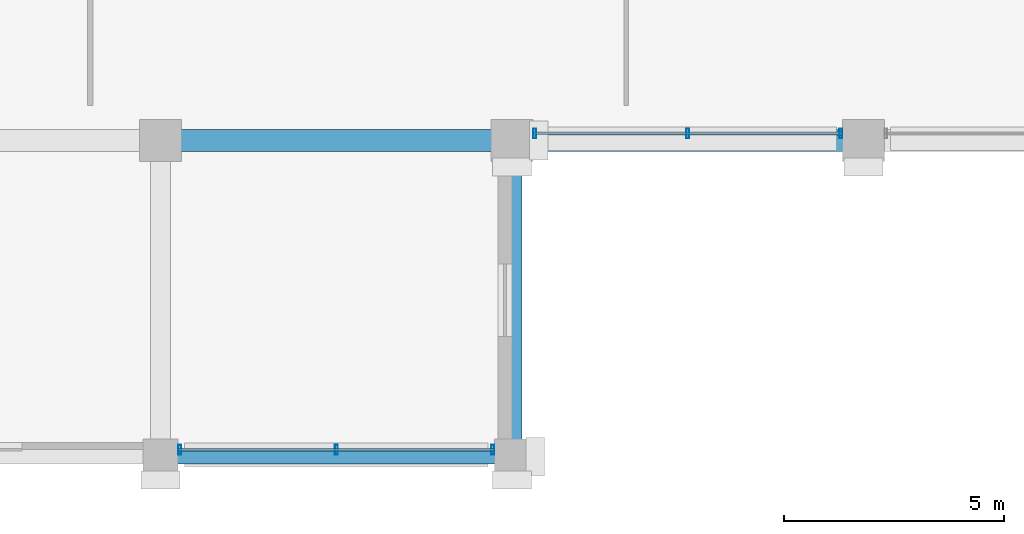
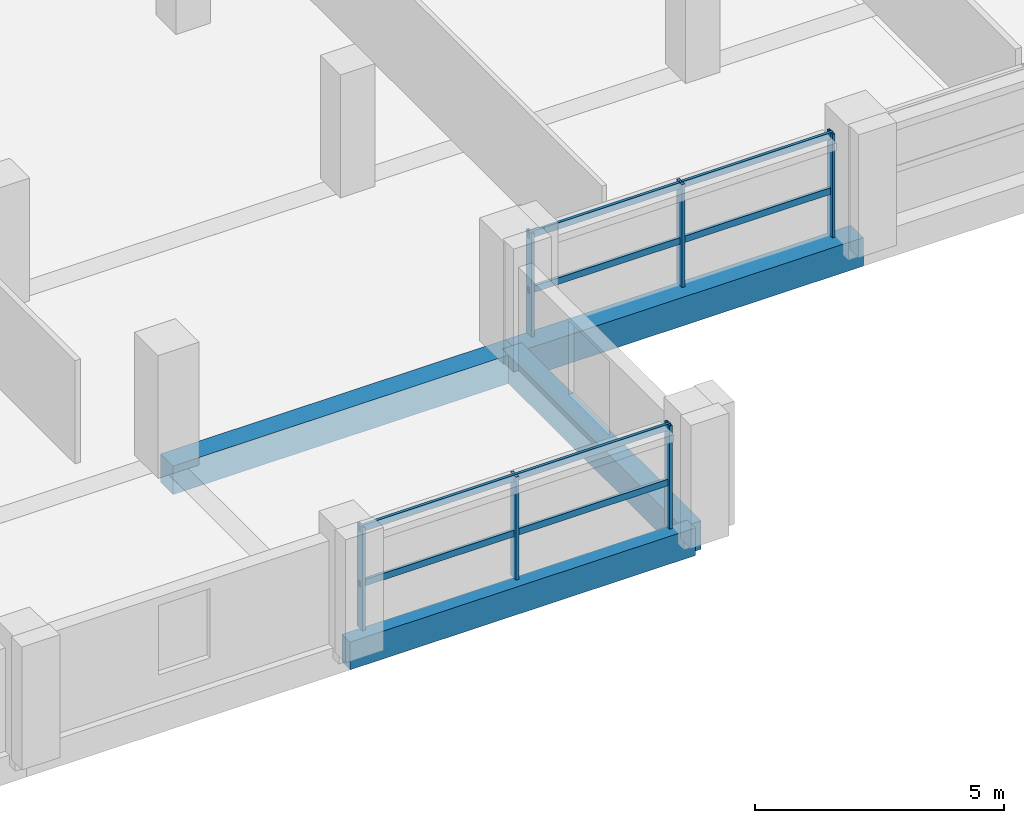
# One storey, part 2 of 21: 10 members, 4 beams, 2 elements without a shape of their own.
"""IFC4 building model written with IfcOpenShell, lengths in metres."""

from ifc_helpers import new_model, si_unit, direction, frame, origin, origin_2d, place, context, subcontext, project, spatial, rectangle, hollow_rectangle, extrude, material, material_profile, profile_set, type_object, element, aggregate, save


model = new_model("IFC4")

# Units and contexts
model_context = context("Model", 3, precision=1e-05, world=origin(), true_north=direction((0.0, 1.0)))
body_context = subcontext(model_context, "Body", "Model", "MODEL_VIEW")
ifc_project = project(units=[si_unit("LENGTHUNIT", "METRE"), si_unit("AREAUNIT", "SQUARE_METRE"), si_unit("VOLUMEUNIT", "CUBIC_METRE"), si_unit("PLANEANGLEUNIT", "RADIAN"), si_unit("MASSUNIT", "GRAM", prefix="KILO")], contexts=[model_context])

# Site, building, storey
site_placement = place(None, origin())
site = spatial("IfcSite", under=ifc_project, at=site_placement, CompositionType="ELEMENT")
building_placement = place(site_placement, origin())
building = spatial("IfcBuilding", under=site, at=building_placement, Name="Akrevak Sports Hall", CompositionType="ELEMENT")
storey_placement = place(building_placement, frame((0.0, 0.0, 37.300048828125)))
storey = spatial("IfcBuildingStorey", under=building, at=storey_placement, Name="L08", CompositionType="ELEMENT", Elevation=37.300048828125)

# Curtain wall, members
ifc_material_1 = material(Name="Anodized Bronze Aluminium & Low-E Glass", Category="aluminium")
curtain_wall_type = type_object("IfcCurtainWallType", Name="ARC-CW-TWR-72x30", PredefinedType="NOTDEFINED", material=ifc_material_1)
curtain_wall_1_placement = place(storey_placement, origin())
curtain_wall_1 = element("IfcCurtainWall", 1, at=curtain_wall_1_placement, inside=storey, type_object=curtain_wall_type, Name="Curtain Wall CW-L08-S03", PredefinedType="NOTDEFINED")
ifc_material_2 = material(Name="Anodized Bronze Aluminium", Category="aluminium")
ifc_material_profile_1 = material_profile(ifc_material_2, hollow_rectangle(XDim=0.06494140625, YDim=0.219970703125, WallThickness=0.00439453125, at=origin_2d()), Name="CWM 65x220", Category="aluminium")
ifc_profile_set_1 = profile_set([ifc_material_profile_1], Name="Anodized Bronze Aluminium")
member_type_1 = type_object("IfcMemberType", Name="ARC-CWM-70x160", PredefinedType="MULLION", material=ifc_profile_set_1)
member_1_placement = place(storey_placement, frame((60.43994140625, 21.760009765625, 0.0), z_axis=(0.0, 0.0, 1.0), x_axis=(1.0, 0.0, 0.0)))
member_1 = element("IfcMember", 2, at=member_1_placement, type_object=member_type_1, Name="Curtain Wall Mullion CW-L08-S03-M1", PredefinedType="MULLION", context=body_context, shape_type="SweptSolid", body=[
    extrude(hollow_rectangle(XDim=0.06494140625, YDim=0.219970703125, WallThickness=0.00439453125, at=origin_2d()), origin(), (0.0, 0.0, 1.0), 2.530029296875),
])
member_2_placement = place(storey_placement, frame((64.0, 21.760009765625, 0.0), z_axis=(0.0, 0.0, 1.0), x_axis=(1.0, 0.0, 0.0)))
member_2 = element("IfcMember", 3, at=member_2_placement, type_object=member_type_1, Name="Curtain Wall Mullion CW-L08-S03-M2", PredefinedType="MULLION", context=body_context, shape_type="SweptSolid", body=[
    extrude(hollow_rectangle(XDim=0.06494140625, YDim=0.219970703125, WallThickness=0.00439453125, at=origin_2d()), origin(), (0.0, 0.0, 1.0), 2.530029296875),
])
member_3_placement = place(storey_placement, frame((67.56005859375, 21.760009765625, 0.0), z_axis=(0.0, 0.0, 1.0), x_axis=(1.0, 0.0, 0.0)))
member_3 = element("IfcMember", 4, at=member_3_placement, type_object=member_type_1, Name="Curtain Wall Mullion CW-L08-S03-M3", PredefinedType="MULLION", context=body_context, shape_type="SweptSolid", body=[
    extrude(hollow_rectangle(XDim=0.06494140625, YDim=0.219970703125, WallThickness=0.00439453125, at=origin_2d()), origin(), (0.0, 0.0, 1.0), 2.530029296875),
])

curtain_wall_2_placement = place(storey_placement, origin())
curtain_wall_2 = element("IfcCurtainWall", 5, at=curtain_wall_2_placement, inside=storey, type_object=curtain_wall_type, Name="Curtain Wall CW-L08-S05", PredefinedType="NOTDEFINED")
member_4_placement = place(storey_placement, frame((68.514892578125, 28.9599609375, 0.0), z_axis=(0.0, 0.0, 1.0), x_axis=(1.0, 0.0, 0.0)))
member_4 = element("IfcMember", 6, at=member_4_placement, type_object=member_type_1, Name="Curtain Wall Mullion CW-L08-S05-M1", PredefinedType="MULLION", context=body_context, shape_type="SweptSolid", body=[
    extrude(hollow_rectangle(XDim=0.06494140625, YDim=0.219970703125, WallThickness=0.00439453125, at=origin_2d()), origin(), (0.0, 0.0, 1.0), 2.530029296875),
])
member_5_placement = place(storey_placement, frame((72.0, 28.9599609375, 0.0), z_axis=(0.0, 0.0, 1.0), x_axis=(1.0, 0.0, 0.0)))
member_5 = element("IfcMember", 7, at=member_5_placement, type_object=member_type_1, Name="Curtain Wall Mullion CW-L08-S05-M2", PredefinedType="MULLION", context=body_context, shape_type="SweptSolid", body=[
    extrude(hollow_rectangle(XDim=0.06494140625, YDim=0.219970703125, WallThickness=0.00439453125, at=origin_2d()), origin(), (0.0, 0.0, 1.0), 2.530029296875),
])
member_6_placement = place(storey_placement, frame((75.485107421875, 28.9599609375, 0.0), z_axis=(0.0, 0.0, 1.0), x_axis=(1.0, 0.0, 0.0)))
member_6 = element("IfcMember", 8, at=member_6_placement, type_object=member_type_1, Name="Curtain Wall Mullion CW-L08-S05-M3", PredefinedType="MULLION", context=body_context, shape_type="SweptSolid", body=[
    extrude(hollow_rectangle(XDim=0.06494140625, YDim=0.219970703125, WallThickness=0.00439453125, at=origin_2d()), origin(), (0.0, 0.0, 1.0), 2.530029296875),
])

# Member
ifc_material_profile_2 = material_profile(ifc_material_2, hollow_rectangle(XDim=0.06494140625, YDim=0.159912109375, WallThickness=0.00390625, at=origin_2d()), Name="CWT 65x160", Category="aluminium")
ifc_profile_set_2 = profile_set([ifc_material_profile_2], Name="Anodized Bronze Aluminium")
member_type_2 = type_object("IfcMemberType", Name="ARC-CWT-70x130", PredefinedType="USERDEFINED", material=ifc_profile_set_2)
member_7_placement = place(storey_placement, frame((60.39990234375, 21.760009765625, 1.099853515625), z_axis=(1.0, 0.0, 0.0), x_axis=(0.0, 1.0, 0.0)))
member_7 = element("IfcMember", 9, at=member_7_placement, type_object=member_type_2, Name="Curtain Wall Transom CW-L08-S03-T1", ObjectType="TRANSOM", PredefinedType="USERDEFINED", context=body_context, shape_type="SweptSolid", body=[
    extrude(hollow_rectangle(XDim=0.06494140625, YDim=0.159912109375, WallThickness=0.00390625, at=origin_2d()), origin(), (0.0, 0.0, 1.0), 7.2001953125),
])

member_8_placement = place(storey_placement, frame((60.39990234375, 21.760009765625, 2.449951171875), z_axis=(1.0, 0.0, 0.0), x_axis=(0.0, 1.0, 0.0)))
member_8 = element("IfcMember", 10, at=member_8_placement, type_object=member_type_2, Name="Curtain Wall Transom CW-L08-S03-T2", ObjectType="TRANSOM", PredefinedType="USERDEFINED", context=body_context, shape_type="SweptSolid", body=[
    extrude(hollow_rectangle(XDim=0.06494140625, YDim=0.159912109375, WallThickness=0.00390625, at=origin_2d()), origin(), (0.0, 0.0, 1.0), 7.2001953125),
])

aggregate(curtain_wall_1, [member_1, member_2, member_3, member_7, member_8])

member_9_placement = place(storey_placement, frame((68.47509765625, 28.9599609375, 1.099853515625), z_axis=(1.0, 0.0, 0.0), x_axis=(0.0, 1.0, 0.0)))
member_9 = element("IfcMember", 11, at=member_9_placement, type_object=member_type_2, Name="Curtain Wall Transom CW-L08-S05-T1", ObjectType="TRANSOM", PredefinedType="USERDEFINED", context=body_context, shape_type="SweptSolid", body=[
    extrude(hollow_rectangle(XDim=0.06494140625, YDim=0.159912109375, WallThickness=0.00390625, at=origin_2d()), origin(), (0.0, 0.0, 1.0), 7.0498046875),
])

member_10_placement = place(storey_placement, frame((68.47509765625, 28.9599609375, 2.449951171875), z_axis=(1.0, 0.0, 0.0), x_axis=(0.0, 1.0, 0.0)))
member_10 = element("IfcMember", 12, at=member_10_placement, type_object=member_type_2, Name="Curtain Wall Transom CW-L08-S05-T2", ObjectType="TRANSOM", PredefinedType="USERDEFINED", context=body_context, shape_type="SweptSolid", body=[
    extrude(hollow_rectangle(XDim=0.06494140625, YDim=0.159912109375, WallThickness=0.00390625, at=origin_2d()), origin(), (0.0, 0.0, 1.0), 7.0498046875),
])

aggregate(curtain_wall_2, [member_4, member_5, member_6, member_9, member_10])

# Beams
ifc_material_3 = material(Name="Concrete C40/50", Category="concrete")
ifc_material_profile_3 = material_profile(ifc_material_3, rectangle(XDim=0.449951171875, YDim=0.699951171875, at=origin_2d()), Name="BM 450x700", Category="concrete")
ifc_profile_set_3 = profile_set([ifc_material_profile_3], Name="Concrete C40/50")
beam_type_1 = type_object("IfcBeamType", Name="STR-BM-RC450x700", PredefinedType="BEAM", material=ifc_profile_set_3)
beam_1_placement = place(storey_placement, frame((68.0, 21.60009765625, -0.35009765625), z_axis=(0.0, 1.0, 0.0), x_axis=(-1.0, 0.0, 0.0)))
element("IfcBeam", 13, at=beam_1_placement, inside=storey, type_object=beam_type_1, Name="Girder 10/D-E (L08)", PredefinedType="BEAM", context=body_context, shape_type="SweptSolid", body=[
    extrude(rectangle(XDim=0.449951171875, YDim=0.699951171875, at=origin_2d()), origin(), (0.0, 0.0, 1.0), 7.199951171875),
])
ifc_material_profile_4 = material_profile(ifc_material_3, rectangle(XDim=0.5, YDim=0.699951171875, at=origin_2d()), Name="BM 500x700", Category="concrete")
ifc_profile_set_4 = profile_set([ifc_material_profile_4], Name="Concrete C40/50")
beam_type_2 = type_object("IfcBeamType", Name="STR-BM-RC500x700", PredefinedType="BEAM", material=ifc_profile_set_4)
for number, where, z_axis, x_axis, name in (
    (14, (60.0, 28.800048828125, -0.35009765625), (1.0, 0.0, 0.0), (0.0, 1.0, 0.0), "Girder E/9-10 (L08)"),
    (15, (68.0, 28.800048828125, -0.35009765625), (1.0, 0.0, 0.0), (0.0, 1.0, 0.0), "Girder E/10-11 (L08)"),
):
    element("IfcBeam", number, at=place(storey_placement, frame(where, z_axis=z_axis, x_axis=x_axis)), inside=storey, type_object=beam_type_2, Name=name, PredefinedType="BEAM", context=body_context, shape_type="SweptSolid", body=[
        extrude(rectangle(XDim=0.5, YDim=0.699951171875, at=origin_2d()), origin(), (0.0, 0.0, 1.0), 8.0),
    ])
ifc_material_profile_5 = material_profile(ifc_material_3, rectangle(XDim=0.320068359375, YDim=0.679931640625, at=origin_2d()), Name="SPD 320x680", Category="concrete")
ifc_profile_set_5 = profile_set([ifc_material_profile_5], Name="Concrete C40/50")
beam_type_3 = type_object("IfcBeamType", Name="STR-SPD-RC320x680", PredefinedType="SPANDREL", material=ifc_profile_set_5)
beam_2_placement = place(storey_placement, frame((60.0, 21.60009765625, -0.340087890625), z_axis=(1.0, 0.0, 0.0), x_axis=(0.0, 1.0, 0.0)))
element("IfcBeam", 16, at=beam_2_placement, inside=storey, type_object=beam_type_3, Name="Girder D/9-10 (L08)", PredefinedType="SPANDREL", context=body_context, shape_type="SweptSolid", body=[
    extrude(rectangle(XDim=0.320068359375, YDim=0.679931640625, at=origin_2d()), origin(), (0.0, 0.0, 1.0), 8.0),
])

save(model, "model.ifc")
